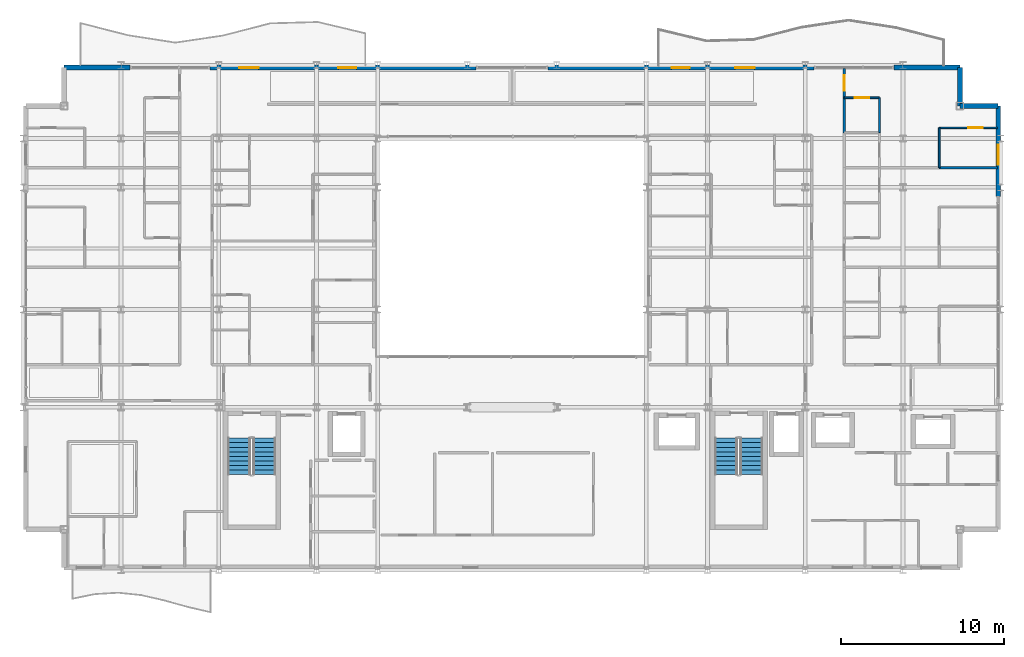
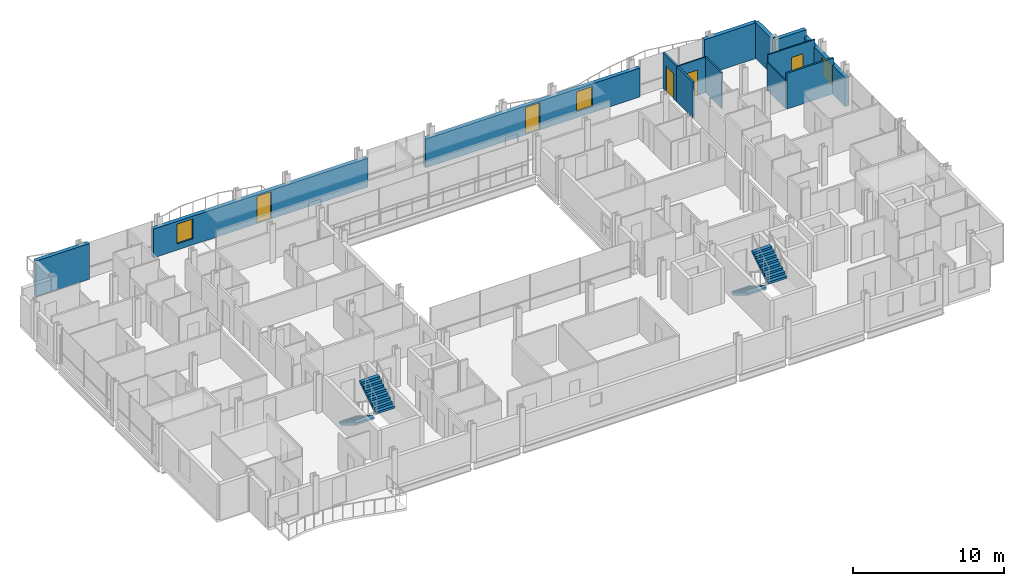
# One storey, part 37 of 41: 14 walls, 5 doors, 4 stair flights, 3 windows, 8 openings, 2 elements without a shape of their own.
"""IFC4 building model written with IfcOpenShell, lengths in metres."""

import ifcopenshell
import ifcopenshell.guid

model = None  # the IFC model being written
_history = None  # IfcOwnerHistory: only IFC2X3 demands one
_inside = {}  # id of a spatial element -> (the spatial element, [elements in it])
_under = {}  # id of a project, library or spatial element -> (it, [spatial elements below it])
_declared = {}  # id of a project -> (the project, [libraries it declares])
_typed = {}  # id of a type object -> (the type object, [elements of that type])
_made_of = {}  # id of a material, layer set ... -> (it, [elements and type objects made of it])


def new_model(schema):
    """Start an empty IFC model of exactly this schema.

    Asked for "IFC4X3", IfcOpenShell would pick the latest addendum, in which some entities
    have other attributes; the version numbers below select the first issue.
    IFC2X3 requires an IfcOwnerHistory on every rooted entity: one is made here for all.
    """
    global model, _history
    if schema == "IFC4X3":
        model = ifcopenshell.file(schema_version=(4, 3, 0, 0))
    else:
        model = ifcopenshell.file(schema=schema)
    _inside.clear()
    _under.clear()
    _declared.clear()
    _typed.clear()
    _made_of.clear()
    _history = None
    if model.schema == "IFC2X3":
        org = make("IfcOrganization", Name="unknown")
        user = make(
            "IfcPersonAndOrganization",
            ThePerson=make("IfcPerson", FamilyName="unknown"),
            TheOrganization=org,
        )
        app = make(
            "IfcApplication",
            ApplicationDeveloper=org,
            Version="unknown",
            ApplicationFullName="unknown",
            ApplicationIdentifier="unknown",
        )
        _history = make(
            "IfcOwnerHistory",
            OwningUser=user,
            OwningApplication=app,
            ChangeAction="ADDED",
            CreationDate=0,
        )
    return model


def make(cls, **values):
    """One entity of the class cls with the attributes given. An attribute that is None is left unset."""
    return model.create_entity(
        cls, **{name: value for name, value in values.items() if value is not None}
    )


def rooted(cls, **values):
    """An entity with a GlobalId (a new one), such as an element, a storey or a relation."""
    return make(cls, GlobalId=ifcopenshell.guid.new(), OwnerHistory=_history, **values)


def si_unit(unit_type, name, prefix=None):
    """IfcSIUnit, for example si_unit("LENGTHUNIT", "METRE", prefix="MILLI")."""
    return make("IfcSIUnit", UnitType=unit_type, Prefix=prefix, Name=name)


def assignment(units):
    """IfcUnitAssignment: the units of a project."""
    return None if units is None else make("IfcUnitAssignment", Units=units)


def point(xyz):
    """IfcCartesianPoint."""
    return None if xyz is None else make("IfcCartesianPoint", Coordinates=xyz)


def direction(xyz):
    """IfcDirection."""
    return None if xyz is None else make("IfcDirection", DirectionRatios=xyz)


def frame(location, z_axis=None, x_axis=None):
    """IfcAxis2Placement3D, a coordinate frame: its origin and axes. An axis left out is left unset."""
    return make(
        "IfcAxis2Placement3D",
        Location=point(location),
        Axis=direction(z_axis),
        RefDirection=direction(x_axis),
    )


def frame_2d(location, x_axis=None):
    """IfcAxis2Placement2D, a coordinate frame in the plane: its origin and x axis."""
    return make(
        "IfcAxis2Placement2D", Location=point(location), RefDirection=direction(x_axis)
    )


def origin():
    """The frame at (0, 0, 0) with its axes left unset."""
    return frame((0.0, 0.0, 0.0))


def place(relative_to, where):
    """IfcLocalPlacement: puts the frame where relative to a parent placement (None: the world)."""
    return make(
        "IfcLocalPlacement", PlacementRelTo=relative_to, RelativePlacement=where
    )


def context(
    kind, dimensions, precision=None, world=None, true_north=None, identifier=None
):
    """IfcGeometricRepresentationContext, for example the 3D "Model" context."""
    return make(
        "IfcGeometricRepresentationContext",
        ContextIdentifier=identifier,
        ContextType=kind,
        CoordinateSpaceDimension=dimensions,
        Precision=precision,
        WorldCoordinateSystem=world,
        TrueNorth=true_north,
    )


def subcontext(parent, identifier, kind, view, scale=None):
    """IfcGeometricRepresentationSubContext, for example "Body" below "Model"."""
    return make(
        "IfcGeometricRepresentationSubContext",
        ContextIdentifier=identifier,
        ContextType=kind,
        ParentContext=parent,
        TargetScale=scale,
        TargetView=view,
    )


def project(units=None, contexts=None):
    """IfcProject with its units and contexts."""
    return rooted(
        "IfcProject",
        Name="project",
        RepresentationContexts=contexts,
        UnitsInContext=assignment(units),
    )


def spatial(cls, under=None, at=None, **own):
    """A site, building, storey or space (cls), placed at a placement, below another one or the project."""
    s = rooted(cls, ObjectPlacement=at, **own)
    if under is not None:
        _under.setdefault(under.id(), (under, []))[1].append(s)
    return s


def polyline(points):
    """IfcPolyline through the points."""
    return make("IfcPolyline", Points=[point(p) for p in points])


def profile(cls, at=None, kind="AREA", **sizes):
    """A parametric profile (cls). Its sizes go by their IFC names, for example OverallWidth=200.0."""
    return make(cls, ProfileType=kind, Position=at, **sizes)


def rectangle(**sizes):
    """IfcRectangleProfileDef."""
    return profile("IfcRectangleProfileDef", **sizes)


def outline(outer, holes=None, kind="AREA"):
    """IfcArbitraryClosedProfileDef: a profile drawn as a closed curve; with holes, ...WithVoids."""
    if holes is None:
        return make("IfcArbitraryClosedProfileDef", ProfileType=kind, OuterCurve=outer)
    return make(
        "IfcArbitraryProfileDefWithVoids",
        ProfileType=kind,
        OuterCurve=outer,
        InnerCurves=holes,
    )


def extrude(swept, where, along, depth):
    """IfcExtrudedAreaSolid: the profile swept, set in the frame where, extruded along a direction by depth."""
    return make(
        "IfcExtrudedAreaSolid",
        SweptArea=swept,
        Position=where,
        ExtrudedDirection=direction(along),
        Depth=depth,
    )


def shape(context_of_items, identifier, shape_type, items):
    """IfcShapeRepresentation: the items that make up one representation, for example the "Body"."""
    return make(
        "IfcShapeRepresentation",
        ContextOfItems=context_of_items,
        RepresentationIdentifier=identifier,
        RepresentationType=shape_type,
        Items=items,
    )


def material(Name=None, Category=None):
    """IfcMaterial."""
    return make("IfcMaterial", Name=Name, Category=Category)


def layer(
    of_material, thickness, ventilated=None, Name=None, Category=None, Priority=None
):
    """IfcMaterialLayer: one layer of a wall or slab, of a material (None: an air gap)."""
    return make(
        "IfcMaterialLayer",
        Material=of_material,
        LayerThickness=thickness,
        IsVentilated=ventilated,
        Name=Name,
        Category=Category,
        Priority=Priority,
    )


def layer_set(layers, Name=None):
    """IfcMaterialLayerSet."""
    return make("IfcMaterialLayerSet", MaterialLayers=layers, LayerSetName=Name)


def made_of(thing, what):
    """Note that an element or type object is made of a material, layer set ...; save() writes the relation."""
    if what is not None:
        _made_of.setdefault(what.id(), (what, []))[1].append(thing)
    return thing


def type_object(cls, material=None, **own):
    """A type object (cls), such as IfcWallType, which elements share."""
    return made_of(rooted(cls, **own), material)


def element(
    cls,
    number,
    at=None,
    inside=None,
    cuts=None,
    type_object=None,
    material=None,
    context=None,
    identifier="Body",
    shape_type=None,
    held_by="IfcProductDefinitionShape",
    body=None,
    shapes=None,
    **own,
):
    """One element of the class cls, such as IfcWall. Its Tag is "e" and its number.

    at: its placement. inside: the storey or other place that contains it. cuts: it is an
    opening in that element (IfcRelVoidsElement). A single representation is given by context,
    identifier, shape_type and body (its items); several are given by shapes. held_by: the class
    of the entity that holds the representations. save() writes the other relations.
    """
    e = rooted(cls, Tag="e%d" % number, ObjectPlacement=at, **own)
    if body is not None:
        shapes = [shape(context, identifier, shape_type, body)]
    if shapes is not None:
        e.Representation = make(held_by, Representations=shapes)
    if inside is not None:
        _inside.setdefault(inside.id(), (inside, []))[1].append(e)
    if cuts is not None:
        rooted(
            "IfcRelVoidsElement", RelatingBuildingElement=cuts, RelatedOpeningElement=e
        )
    if type_object is not None:
        _typed.setdefault(type_object.id(), (type_object, []))[1].append(e)
    return made_of(e, material)


def fill(opening, filler):
    """IfcRelFillsElement: the door or window that sits in an opening."""
    return rooted(
        "IfcRelFillsElement",
        RelatingOpeningElement=opening,
        RelatedBuildingElement=filler,
    )


def aggregate(whole, parts):
    """IfcRelAggregates: a whole, such as a stair, and the parts it consists of."""
    return rooted("IfcRelAggregates", RelatingObject=whole, RelatedObjects=parts)


def save(model, path):
    """Write the relations noted so far, then the file.

    IfcRelAggregates (storeys below a building ...), IfcRelContainedInSpatialStructure (elements
    in a storey), IfcRelDefinesByType, IfcRelAssociatesMaterial and IfcRelDeclares: one each for
    every whole, place, type object, material and project.
    """
    for whole, parts in _under.values():
        aggregate(whole, parts)
    for where, things in _inside.values():
        rooted(
            "IfcRelContainedInSpatialStructure",
            RelatedElements=things,
            RelatingStructure=where,
        )
    for kind, things in _typed.values():
        rooted("IfcRelDefinesByType", RelatedObjects=things, RelatingType=kind)
    for what, things in _made_of.values():
        rooted("IfcRelAssociatesMaterial", RelatedObjects=things, RelatingMaterial=what)
    for by, libraries in _declared.values():
        rooted("IfcRelDeclares", RelatingContext=by, RelatedDefinitions=libraries)
    model.write(path)


model = new_model("IFC4")

# Units and contexts
model_context = context("Model", 3, precision=1e-05, world=origin(), true_north=direction((0.0, 1.0)))
body_context = subcontext(model_context, "Body", "Model", "MODEL_VIEW")
ifc_project = project(units=[si_unit("LENGTHUNIT", "METRE"), si_unit("AREAUNIT", "SQUARE_METRE"), si_unit("VOLUMEUNIT", "CUBIC_METRE"), si_unit("PLANEANGLEUNIT", "RADIAN"), si_unit("MASSUNIT", "GRAM", prefix="KILO")], contexts=[model_context])

# Site, building, storey
site_placement = place(None, origin())
site = spatial("IfcSite", under=ifc_project, at=site_placement, CompositionType="ELEMENT")
building_placement = place(site_placement, origin())
building = spatial("IfcBuilding", under=site, at=building_placement, Name="Brevholm Reach", CompositionType="ELEMENT")
storey_placement = place(building_placement, frame((0.0, 0.0, 106.60009765625)))
storey = spatial("IfcBuildingStorey", under=building, at=storey_placement, Name="L31", CompositionType="ELEMENT", Elevation=106.60009765625)

# Walls
ifc_material_1 = material(Name="Concrete C40/50", Category="concrete")
ifc_layer_1 = layer(ifc_material_1, 0.300048828125)
ifc_layer_set_1 = layer_set([ifc_layer_1], Name="Concrete C40/50")
wall_type_1 = type_object("IfcWallType", Name="WAL-EXT-300", PredefinedType="STANDARD", material=ifc_layer_set_1)
for number, where, z_axis, x_axis, name in (
    (1, (59.85009765625, 28.5, 0.0), (0.0, 0.0, 1.0), (-1.0, 0.0, 0.0), "L31 Facade Wall WAL-L31-CNE1"),
    (2, (57.5, 28.5, 0.0), (0.0, 0.0, 1.0), (0.0, 1.0, 0.0), "L31 Facade Wall WAL-L31-CNE2"),
):
    element("IfcWall", number, at=place(storey_placement, frame(where, z_axis=z_axis, x_axis=x_axis)), inside=storey, type_object=wall_type_1, Name=name, PredefinedType="STANDARD", context=body_context, shape_type="SweptSolid", body=[
        extrude(rectangle(XDim=2.35009765625, YDim=0.300048828125, at=frame_2d((1.175048828125, 0.0))), origin(), (0.0, 0.0, 1.0), 2.8798828125),
    ])

# Wall, opening, window
wall_1_placement = place(storey_placement, frame((59.85009765625, 22.949951171875, 0.0), z_axis=(0.0, 0.0, 1.0), x_axis=(0.0, 1.0, 0.0)))
wall_1 = element("IfcWall", 3, at=wall_1_placement, inside=storey, type_object=wall_type_1, Name="L31 Facade Wall WAL-L31-E-N", PredefinedType="STANDARD", context=body_context, shape_type="SweptSolid", body=[
    extrude(rectangle(XDim=5.550048828125, YDim=0.300048828125, at=frame_2d((2.77490234375, 0.0))), origin(), (0.0, 0.0, 1.0), 2.32177734375),
])
opening_1_placement = place(wall_1_placement, frame((1.949951171875, 0.0, 0.501953125)))
opening_1 = element("IfcOpeningElement", 4, at=opening_1_placement, cuts=wall_1, Name="Opening WN-08", PredefinedType="OPENING", context=body_context, shape_type="SweptSolid", body=[
    extrude(rectangle(XDim=1.199951171875, YDim=1.60009765625, at=frame_2d((0.60009765625, 0.800048828125))), frame((0.0, 0.159912109375, 0.0), z_axis=(0.0, -1.0, 0.0), x_axis=(1.0, 0.0, 0.0)), (0.0, 0.0, 1.0), 0.320068359375),
])
ifc_material_2 = material(Name="Dark Anodised Aluminium and Solar-Control IGU Glass", Category="aluminium")
window_type = type_object("IfcWindowType", Name="WIN-RES-1200", PartitioningType="SINGLE_PANEL", PredefinedType="WINDOW", material=ifc_material_2)
window_1_placement = place(opening_1_placement, origin())
window_1 = element("IfcWindow", 5, at=window_1_placement, inside=storey, type_object=window_type, Name="L31 Window WIN-L31-EN-1", OverallHeight=1.60009765625, OverallWidth=1.199951171875, PartitioningType="SINGLE_PANEL", PredefinedType="WINDOW", context=body_context, shape_type="SweptSolid", body=[
    extrude(rectangle(XDim=1.199951171875, YDim=1.60009765625, at=frame_2d((0.60009765625, 0.800048828125))), frame((0.0, 0.030029296875, 0.0), z_axis=(0.0, -1.0, 0.0), x_axis=(1.0, 0.0, 0.0)), (0.0, 0.0, 1.0), 0.06005859375),
])
fill(opening_1, window_1)

# Walls
for number, where, z_axis, x_axis, name in (
    (6, (2.5, 30.85009765625, 0.0), (0.0, 0.0, 1.0), (1.0, 0.0, 0.0), "L31 Facade Wall WAL-L31-NP-W0"),
    (7, (53.449951171875, 30.85009765625, 0.0), (0.0, 0.0, 1.0), (1.0, 0.0, 0.0), "L31 Facade Wall WAL-L31-NP-E0"),
):
    element("IfcWall", number, at=place(storey_placement, frame(where, z_axis=z_axis, x_axis=x_axis)), inside=storey, type_object=wall_type_1, Name=name, PredefinedType="STANDARD", context=body_context, shape_type="SweptSolid", body=[
        extrude(rectangle(XDim=4.050048828125, YDim=0.300048828125, at=frame_2d((2.02490234375, 0.0))), origin(), (0.0, 0.0, 1.0), 2.8798828125),
    ])

# Wall, openings, door, window
wall_2_placement = place(storey_placement, frame((11.449951171875, 30.85009765625, 0.0), z_axis=(0.0, 0.0, 1.0), x_axis=(1.0, 0.0, 0.0)))
wall_2 = element("IfcWall", 8, at=wall_2_placement, inside=storey, type_object=wall_type_1, Name="L31 Facade Wall WAL-L31-NP-WL", PredefinedType="STANDARD", context=body_context, shape_type="SweptSolid", body=[
    extrude(rectangle(XDim=16.35009765625, YDim=0.300048828125, at=frame_2d((8.175048828125, 0.0))), origin(), (0.0, 0.0, 1.0), 2.32177734375),
])
opening_2_placement = place(wall_2_placement, frame((7.89794921875, 0.0, 0.0)))
opening_2 = element("IfcOpeningElement", 9, at=opening_2_placement, cuts=wall_2, Name="Opening BD-01", PredefinedType="OPENING", context=body_context, shape_type="SweptSolid", body=[
    extrude(rectangle(XDim=1.10009765625, YDim=2.199951171875, at=frame_2d((0.550048828125, 1.10009765625))), frame((0.0, 0.159912109375, 0.0), z_axis=(0.0, -1.0, 0.0), x_axis=(1.0, 0.0, 0.0)), (0.0, 0.0, 1.0), 0.320068359375),
])
opening_3_placement = place(wall_2_placement, frame((1.800048828125, 0.0, 0.501953125)))
opening_3 = element("IfcOpeningElement", 10, at=opening_3_placement, cuts=wall_2, Name="Opening WN-08", PredefinedType="OPENING", context=body_context, shape_type="SweptSolid", body=[
    extrude(rectangle(XDim=1.199951171875, YDim=1.60009765625, at=frame_2d((0.60009765625, 0.800048828125))), frame((0.0, 0.159912109375, 0.0), z_axis=(0.0, -1.0, 0.0), x_axis=(1.0, 0.0, 0.0)), (0.0, 0.0, 1.0), 0.320068359375),
])
ifc_material_3 = material(Name="Dark Anodised Aluminium and Triple-Glazed Glass", Category="aluminium")
door_type_1 = type_object("IfcDoorType", Name="DOR-BALC-1100", OperationType="NOTDEFINED", PredefinedType="DOOR", material=ifc_material_3)
door_1_placement = place(opening_2_placement, origin())
door_1 = element("IfcDoor", 11, at=door_1_placement, inside=storey, type_object=door_type_1, Name="L31 Exterior Door DOR-L31-BL-NW", OperationType="SINGLE_SWING_LEFT", OverallHeight=2.199951171875, OverallWidth=1.10009765625, PredefinedType="DOOR", context=body_context, shape_type="SweptSolid", body=[
    extrude(rectangle(XDim=1.10009765625, YDim=2.199951171875, at=frame_2d((0.550048828125, 1.10009765625))), frame((0.0, 0.02490234375, 0.0), z_axis=(0.0, -1.0, 0.0), x_axis=(1.0, 0.0, 0.0)), (0.0, 0.0, 1.0), 0.050048828125),
])
fill(opening_2, door_1)
window_2_placement = place(opening_3_placement, origin())
window_2 = element("IfcWindow", 12, at=window_2_placement, inside=storey, type_object=window_type, Name="L31 Window WIN-L31-NP-WL1", OverallHeight=1.60009765625, OverallWidth=1.199951171875, PartitioningType="SINGLE_PANEL", PredefinedType="WINDOW", context=body_context, shape_type="SweptSolid", body=[
    extrude(rectangle(XDim=1.199951171875, YDim=1.60009765625, at=frame_2d((0.60009765625, 0.800048828125))), frame((0.0, 0.030029296875, 0.0), z_axis=(0.0, -1.0, 0.0), x_axis=(1.0, 0.0, 0.0)), (0.0, 0.0, 1.0), 0.06005859375),
])
fill(opening_3, window_2)

wall_3_placement = place(storey_placement, frame((32.199951171875, 30.85009765625, 0.0), z_axis=(0.0, 0.0, 1.0), x_axis=(1.0, 0.0, 0.0)))
wall_3 = element("IfcWall", 13, at=wall_3_placement, inside=storey, type_object=wall_type_1, Name="L31 Facade Wall WAL-L31-NP-ER", PredefinedType="STANDARD", context=body_context, shape_type="SweptSolid", body=[
    extrude(rectangle(XDim=16.35009765625, YDim=0.300048828125, at=frame_2d((8.175048828125, 0.0))), origin(), (0.0, 0.0, 1.0), 2.32177734375),
])
opening_4_placement = place(wall_3_placement, frame((7.60009765625, 0.0, 0.0)))
opening_4 = element("IfcOpeningElement", 14, at=opening_4_placement, cuts=wall_3, Name="Opening BD-01", PredefinedType="OPENING", context=body_context, shape_type="SweptSolid", body=[
    extrude(rectangle(XDim=1.10009765625, YDim=2.199951171875, at=frame_2d((0.550048828125, 1.10009765625))), frame((0.0, 0.159912109375, 0.0), z_axis=(0.0, -1.0, 0.0), x_axis=(1.0, 0.0, 0.0)), (0.0, 0.0, 1.0), 0.320068359375),
])
opening_5_placement = place(wall_3_placement, frame((11.5, 0.0, 0.501953125)))
opening_5 = element("IfcOpeningElement", 15, at=opening_5_placement, cuts=wall_3, Name="Opening WN-08", PredefinedType="OPENING", context=body_context, shape_type="SweptSolid", body=[
    extrude(rectangle(XDim=1.199951171875, YDim=1.60009765625, at=frame_2d((0.60009765625, 0.800048828125))), frame((0.0, 0.159912109375, 0.0), z_axis=(0.0, -1.0, 0.0), x_axis=(1.0, 0.0, 0.0)), (0.0, 0.0, 1.0), 0.320068359375),
])
door_2_placement = place(opening_4_placement, origin())
door_2 = element("IfcDoor", 16, at=door_2_placement, inside=storey, type_object=door_type_1, Name="L31 Exterior Door DOR-L31-BL-NE", OperationType="SINGLE_SWING_RIGHT", OverallHeight=2.199951171875, OverallWidth=1.10009765625, PredefinedType="DOOR", context=body_context, shape_type="SweptSolid", body=[
    extrude(rectangle(XDim=1.10009765625, YDim=2.199951171875, at=frame_2d((0.550048828125, 1.10009765625))), frame((0.0, 0.02490234375, 0.0), z_axis=(0.0, -1.0, 0.0), x_axis=(1.0, 0.0, 0.0)), (0.0, 0.0, 1.0), 0.050048828125),
])
fill(opening_4, door_2)
window_3_placement = place(opening_5_placement, origin())
window_3 = element("IfcWindow", 17, at=window_3_placement, inside=storey, type_object=window_type, Name="L31 Window WIN-L31-NP-ER1", OverallHeight=1.60009765625, OverallWidth=1.199951171875, PartitioningType="SINGLE_PANEL", PredefinedType="WINDOW", context=body_context, shape_type="SweptSolid", body=[
    extrude(rectangle(XDim=1.199951171875, YDim=1.60009765625, at=frame_2d((0.60009765625, 0.800048828125))), frame((0.0, 0.030029296875, 0.0), z_axis=(0.0, -1.0, 0.0), x_axis=(1.0, 0.0, 0.0)), (0.0, 0.0, 1.0), 0.06005859375),
])
fill(opening_5, window_3)

# Wall
ifc_material_4 = material(Name="Moisture-Resistant Acoustic Gypsum Stud Partition 100 mm", Category="gypsum")
ifc_layer_2 = layer(ifc_material_4, 0.10009765625)
ifc_layer_set_2 = layer_set([ifc_layer_2], Name="Moisture-Resistant Acoustic Gypsum Stud Partition 100 mm")
wall_type_2 = type_object("IfcWallType", Name="WAL-PRT-100", PredefinedType="PARTITIONING", material=ifc_layer_set_2)
wall_4_placement = place(storey_placement, frame((52.56201171875, 26.85400390625, 0.0), z_axis=(0.0, 0.0, 1.0), x_axis=(0.0, 1.0, 0.0)))
element("IfcWall", 18, at=wall_4_placement, inside=storey, type_object=wall_type_2, Name="L31 Internal Partition 164", PredefinedType="PARTITIONING", context=body_context, shape_type="SweptSolid", body=[
    extrude(rectangle(XDim=2.14599609375, YDim=0.10009765625, at=frame_2d((1.072998046875, 0.0))), origin(), (0.0, 0.0, 1.0), 2.8798828125),
])

# Wall, opening, door
wall_5_placement = place(storey_placement, frame((50.404052734375, 29.0, 0.0), z_axis=(0.0, 0.0, 1.0), x_axis=(1.0, 0.0, 0.0)))
wall_5 = element("IfcWall", 19, at=wall_5_placement, inside=storey, type_object=wall_type_2, Name="L31 Internal Partition 165", PredefinedType="PARTITIONING", context=body_context, shape_type="SweptSolid", body=[
    extrude(rectangle(XDim=2.157958984375, YDim=0.10009765625, at=frame_2d((1.0791015625, 0.0))), origin(), (0.0, 0.0, 1.0), 2.8798828125),
])
opening_6_placement = place(wall_5_placement, frame((0.638916015625, 0.0, 0.0)))
opening_6 = element("IfcOpeningElement", 20, at=opening_6_placement, cuts=wall_5, Name="Opening ID-01", PredefinedType="OPENING", context=body_context, shape_type="SweptSolid", body=[
    extrude(rectangle(XDim=0.8798828125, YDim=2.0400390625, at=frame_2d((0.43994140625, 1.02001953125))), frame((0.0, 0.06005859375, 0.0), z_axis=(0.0, -1.0, 0.0), x_axis=(1.0, 0.0, 0.0)), (0.0, 0.0, 1.0), 0.1201171875),
])
ifc_material_5 = material(Name="Lacquered Ash Solid-Core Acoustic Internal Door", Category="timber")
door_type_2 = type_object("IfcDoorType", Name="DOR-INT-880", OperationType="NOTDEFINED", PredefinedType="DOOR", material=ifc_material_5)
door_3_placement = place(opening_6_placement, origin())
door_3 = element("IfcDoor", 21, at=door_3_placement, inside=storey, type_object=door_type_2, Name="L31 Internal Door 063", OperationType="SINGLE_SWING_RIGHT", OverallHeight=2.0400390625, OverallWidth=0.8798828125, PredefinedType="DOOR", context=body_context, shape_type="SweptSolid", body=[
    extrude(rectangle(XDim=0.8798828125, YDim=2.0400390625, at=frame_2d((0.43994140625, 1.02001953125))), frame((0.0, 0.02490234375, 0.0), z_axis=(0.0, -1.0, 0.0), x_axis=(1.0, 0.0, 0.0)), (0.0, 0.0, 1.0), 0.050048828125),
])
fill(opening_6, door_3)

wall_6_placement = place(storey_placement, frame((56.22802734375, 27.14990234375, 0.0), z_axis=(0.0, 0.0, 1.0), x_axis=(1.0, 0.0, 0.0)))
wall_6 = element("IfcWall", 22, at=wall_6_placement, inside=storey, type_object=wall_type_2, Name="L31 Internal Partition 166", PredefinedType="PARTITIONING", context=body_context, shape_type="SweptSolid", body=[
    extrude(rectangle(XDim=3.572021484375, YDim=0.10009765625, at=frame_2d((1.7861328125, 0.0))), origin(), (0.0, 0.0, 1.0), 2.8798828125),
])
opening_7_placement = place(wall_6_placement, frame((1.785888671875, 0.0, 0.0)))
opening_7 = element("IfcOpeningElement", 23, at=opening_7_placement, cuts=wall_6, Name="Opening ID-01", PredefinedType="OPENING", context=body_context, shape_type="SweptSolid", body=[
    extrude(rectangle(XDim=0.8798828125, YDim=2.0400390625, at=frame_2d((0.43994140625, 1.02001953125))), frame((0.0, 0.06005859375, 0.0), z_axis=(0.0, -1.0, 0.0), x_axis=(1.0, 0.0, 0.0)), (0.0, 0.0, 1.0), 0.1201171875),
])
door_4_placement = place(opening_7_placement, origin())
door_4 = element("IfcDoor", 24, at=door_4_placement, inside=storey, type_object=door_type_2, Name="L31 Internal Door 064", OperationType="SINGLE_SWING_LEFT", OverallHeight=2.0400390625, OverallWidth=0.8798828125, PredefinedType="DOOR", context=body_context, shape_type="SweptSolid", body=[
    extrude(rectangle(XDim=0.8798828125, YDim=2.0400390625, at=frame_2d((0.43994140625, 1.02001953125))), frame((0.0, 0.02490234375, 0.0), z_axis=(0.0, -1.0, 0.0), x_axis=(1.0, 0.0, 0.0)), (0.0, 0.0, 1.0), 0.050048828125),
])
fill(opening_7, door_4)

# Walls
wall_7_placement = place(storey_placement, frame((56.22802734375, 24.7041015625, 0.0), z_axis=(0.0, 0.0, 1.0), x_axis=(0.0, 1.0, 0.0)))
element("IfcWall", 25, at=wall_7_placement, inside=storey, type_object=wall_type_2, Name="L31 Internal Partition 167", PredefinedType="PARTITIONING", context=body_context, shape_type="SweptSolid", body=[
    extrude(rectangle(XDim=2.44580078125, YDim=0.10009765625, at=frame_2d((1.222900390625, 0.0))), origin(), (0.0, 0.0, 1.0), 2.24267578125),
])
ifc_material_6 = material(Name="Twin-Stud Acoustic Fire-Rated Gypsum Partition 140 mm", Category="gypsum")
ifc_layer_3 = layer(ifc_material_6, 0.139892578125)
ifc_layer_set_3 = layer_set([ifc_layer_3], Name="Twin-Stud Acoustic Fire-Rated Gypsum Partition 140 mm")
wall_type_3 = type_object("IfcWallType", Name="WAL-PRT-140", PredefinedType="PARTITIONING", material=ifc_layer_set_3)
wall_8_placement = place(storey_placement, frame((50.39990234375, 26.8427734375, 0.0), z_axis=(0.0, 0.0, 1.0), x_axis=(0.0, 1.0, 0.0)))
element("IfcWall", 26, at=wall_8_placement, inside=storey, type_object=wall_type_3, Name="L31 Internal Partition 059", PredefinedType="PARTITIONING", context=body_context, shape_type="SweptSolid", body=[
    extrude(rectangle(XDim=2.16845703125, YDim=0.139892578125, at=frame_2d((1.084228515625, 0.0))), origin(), (0.0, 0.0, 1.0), 2.8798828125),
])

# Wall, opening, door
wall_9_placement = place(storey_placement, frame((50.39990234375, 28.99267578125, 0.0), z_axis=(0.0, 0.0, 1.0), x_axis=(0.0, 1.0, 0.0)))
wall_9 = element("IfcWall", 27, at=wall_9_placement, inside=storey, type_object=wall_type_3, Name="L31 Internal Partition 060", PredefinedType="PARTITIONING", context=body_context, shape_type="SweptSolid", body=[
    extrude(rectangle(XDim=1.807373046875, YDim=0.139892578125, at=frame_2d((0.90380859375, 0.0))), origin(), (0.0, 0.0, 1.0), 2.8798828125),
])
opening_8_placement = place(wall_9_placement, frame((0.4287109375, 0.0, 0.0)))
opening_8 = element("IfcOpeningElement", 28, at=opening_8_placement, cuts=wall_9, Name="Opening ID-30", PredefinedType="OPENING", context=body_context, shape_type="SweptSolid", body=[
    extrude(rectangle(XDim=0.949951171875, YDim=2.050048828125, at=frame_2d((0.47509765625, 1.02490234375))), frame((0.0, 0.079833984375, 0.0), z_axis=(0.0, -1.0, 0.0), x_axis=(1.0, 0.0, 0.0)), (0.0, 0.0, 1.0), 0.159912109375),
])
ifc_material_7 = material(Name="European Oak Veneered Solid-Core Fire Entrance Door", Category="timber")
door_type_3 = type_object("IfcDoorType", Name="DOR-FLT-FD30S", OperationType="NOTDEFINED", PredefinedType="DOOR", material=ifc_material_7)
door_5_placement = place(opening_8_placement, origin())
door_5 = element("IfcDoor", 29, at=door_5_placement, inside=storey, type_object=door_type_3, Name="L31 Internal Door 025", OperationType="SINGLE_SWING_RIGHT", OverallHeight=2.050048828125, OverallWidth=0.949951171875, PredefinedType="DOOR", context=body_context, shape_type="SweptSolid", body=[
    extrude(rectangle(XDim=0.949951171875, YDim=2.050048828125, at=frame_2d((0.47509765625, 1.02490234375))), frame((0.0, 0.02490234375, 0.0), z_axis=(0.0, -1.0, 0.0), x_axis=(1.0, 0.0, 0.0)), (0.0, 0.0, 1.0), 0.050048828125),
])
fill(opening_8, door_5)

# Wall
wall_10_placement = place(storey_placement, frame((56.216796875, 24.699951171875, 0.0), z_axis=(0.0, 0.0, 1.0), x_axis=(1.0, 0.0, 0.0)))
element("IfcWall", 30, at=wall_10_placement, inside=storey, type_object=wall_type_3, Name="L31 Internal Partition 160", PredefinedType="PARTITIONING", context=body_context, shape_type="SweptSolid", body=[
    extrude(rectangle(XDim=3.583251953125, YDim=0.139892578125, at=frame_2d((1.79150390625, 0.0))), origin(), (0.0, 0.0, 1.0), 2.8798828125),
])

# Stair, stair flights
ifc_material_8 = material(Name="Precast Concrete C40/50", Category="concrete")
stair_type = type_object("IfcStairType", Name="STR-ESC-1400", PredefinedType="DOUBLE_RETURN_STAIR", material=ifc_material_8)
stair_1_placement = place(storey_placement, origin())
stair_1 = element("IfcStair", 31, at=stair_1_placement, inside=storey, type_object=stair_type, Name="L31 ST-1", PredefinedType="DOUBLE_RETURN_STAIR")
ifc_material_9 = material(Name="Precast Concrete C40/50", Category="concrete")
ifc_layer_4 = layer(ifc_material_9, 0.18505859375)
ifc_layer_set_4 = layer_set([ifc_layer_4], Name="Precast Concrete C40/50")
stair_flight_type = type_object("IfcStairFlightType", Name="STF-PRC-185", PredefinedType="STRAIGHT", material=ifc_layer_set_4)
stair_flight_1_placement = place(storey_placement, frame((13.25, 8.10009765625, 0.0), z_axis=(0.0, 0.0, 1.0), x_axis=(0.0, -1.0, 0.0)))
stair_flight_1 = element("IfcStairFlight", 32, at=stair_flight_1_placement, type_object=stair_flight_type, Name="ST-1 flight 1", NumberOfRisers=9, NumberOfTreads=8, PredefinedType="STRAIGHT", RiserHeight=0.172222222, TreadLength=0.28, context=body_context, shape_type="SweptSolid", body=[
    extrude(outline(polyline([(0.0, 0.0), (0.0, 0.172119140625), (0.280029296875, 0.172119140625), (0.280029296875, 0.344482421875), (0.56005859375, 0.344482421875), (0.56005859375, 0.5166015625), (0.840087890625, 0.5166015625), (0.840087890625, 0.68896484375), (1.1201171875, 0.68896484375), (1.1201171875, 0.861083984375), (1.39990234375, 0.861083984375), (1.39990234375, 1.033447265625), (1.679931640625, 1.033447265625), (1.679931640625, 1.20556640625), (1.9599609375, 1.20556640625), (1.9599609375, 1.377685546875), (2.239990234375, 1.377685546875), (2.239990234375, 1.550048828125), (2.239990234375, 1.201904296875), (0.2861328125, 0.0), (0.0, 0.0)])), frame((0.0, 0.699951171875, 0.0), z_axis=(0.0, -1.0, 0.0), x_axis=(1.0, 0.0, 0.0)), (0.0, 0.0, 1.0), 1.39990234375),
])
stair_flight_2_placement = place(storey_placement, frame((14.800048828125, 5.860107421875, 1.5498046875), z_axis=(0.0, 0.0, 1.0), x_axis=(0.0, 1.0, 0.0)))
stair_flight_2 = element("IfcStairFlight", 33, at=stair_flight_2_placement, type_object=stair_flight_type, Name="ST-1 flight 2", NumberOfRisers=9, NumberOfTreads=8, PredefinedType="STRAIGHT", RiserHeight=0.172222222, TreadLength=0.28, context=body_context, shape_type="SweptSolid", body=[
    extrude(outline(polyline([(0.0, 0.0), (0.0, 0.172119140625), (0.280029296875, 0.172119140625), (0.280029296875, 0.344482421875), (0.56005859375, 0.344482421875), (0.56005859375, 0.5166015625), (0.840087890625, 0.5166015625), (0.840087890625, 0.68896484375), (1.1201171875, 0.68896484375), (1.1201171875, 0.861083984375), (1.39990234375, 0.861083984375), (1.39990234375, 1.033447265625), (1.679931640625, 1.033447265625), (1.679931640625, 1.20556640625), (1.9599609375, 1.20556640625), (1.9599609375, 1.377685546875), (2.239990234375, 1.377685546875), (2.239990234375, 1.550048828125), (2.239990234375, 1.201904296875), (0.2861328125, 0.0), (0.0, 0.0)])), frame((0.0, 0.699951171875, 0.0), z_axis=(0.0, -1.0, 0.0), x_axis=(1.0, 0.0, 0.0)), (0.0, 0.0, 1.0), 1.39990234375),
])
aggregate(stair_1, [stair_flight_1, stair_flight_2])

stair_2_placement = place(storey_placement, origin())
stair_2 = element("IfcStair", 34, at=stair_2_placement, inside=storey, type_object=stair_type, Name="L31 ST-2", PredefinedType="DOUBLE_RETURN_STAIR")
stair_flight_3_placement = place(storey_placement, frame((43.14990234375, 8.10009765625, 0.0), z_axis=(0.0, 0.0, 1.0), x_axis=(0.0, -1.0, 0.0)))
stair_flight_3 = element("IfcStairFlight", 35, at=stair_flight_3_placement, type_object=stair_flight_type, Name="ST-2 flight 1", NumberOfRisers=9, NumberOfTreads=8, PredefinedType="STRAIGHT", RiserHeight=0.172222222, TreadLength=0.28, context=body_context, shape_type="SweptSolid", body=[
    extrude(outline(polyline([(0.0, 0.0), (0.0, 0.172119140625), (0.280029296875, 0.172119140625), (0.280029296875, 0.344482421875), (0.56005859375, 0.344482421875), (0.56005859375, 0.5166015625), (0.840087890625, 0.5166015625), (0.840087890625, 0.68896484375), (1.1201171875, 0.68896484375), (1.1201171875, 0.861083984375), (1.39990234375, 0.861083984375), (1.39990234375, 1.033447265625), (1.679931640625, 1.033447265625), (1.679931640625, 1.20556640625), (1.9599609375, 1.20556640625), (1.9599609375, 1.377685546875), (2.239990234375, 1.377685546875), (2.239990234375, 1.550048828125), (2.239990234375, 1.201904296875), (0.2861328125, 0.0), (0.0, 0.0)])), frame((0.0, 0.699951171875, 0.0), z_axis=(0.0, -1.0, 0.0), x_axis=(1.0, 0.0, 0.0)), (0.0, 0.0, 1.0), 1.39990234375),
])
stair_flight_4_placement = place(storey_placement, frame((44.699951171875, 5.860107421875, 1.5498046875), z_axis=(0.0, 0.0, 1.0), x_axis=(0.0, 1.0, 0.0)))
stair_flight_4 = element("IfcStairFlight", 36, at=stair_flight_4_placement, type_object=stair_flight_type, Name="ST-2 flight 2", NumberOfRisers=9, NumberOfTreads=8, PredefinedType="STRAIGHT", RiserHeight=0.172222222, TreadLength=0.28, context=body_context, shape_type="SweptSolid", body=[
    extrude(outline(polyline([(0.0, 0.0), (0.0, 0.172119140625), (0.280029296875, 0.172119140625), (0.280029296875, 0.344482421875), (0.56005859375, 0.344482421875), (0.56005859375, 0.5166015625), (0.840087890625, 0.5166015625), (0.840087890625, 0.68896484375), (1.1201171875, 0.68896484375), (1.1201171875, 0.861083984375), (1.39990234375, 0.861083984375), (1.39990234375, 1.033447265625), (1.679931640625, 1.033447265625), (1.679931640625, 1.20556640625), (1.9599609375, 1.20556640625), (1.9599609375, 1.377685546875), (2.239990234375, 1.377685546875), (2.239990234375, 1.550048828125), (2.239990234375, 1.201904296875), (0.2861328125, 0.0), (0.0, 0.0)])), frame((0.0, 0.699951171875, 0.0), z_axis=(0.0, -1.0, 0.0), x_axis=(1.0, 0.0, 0.0)), (0.0, 0.0, 1.0), 1.39990234375),
])
aggregate(stair_2, [stair_flight_3, stair_flight_4])

save(model, "model.ifc")
